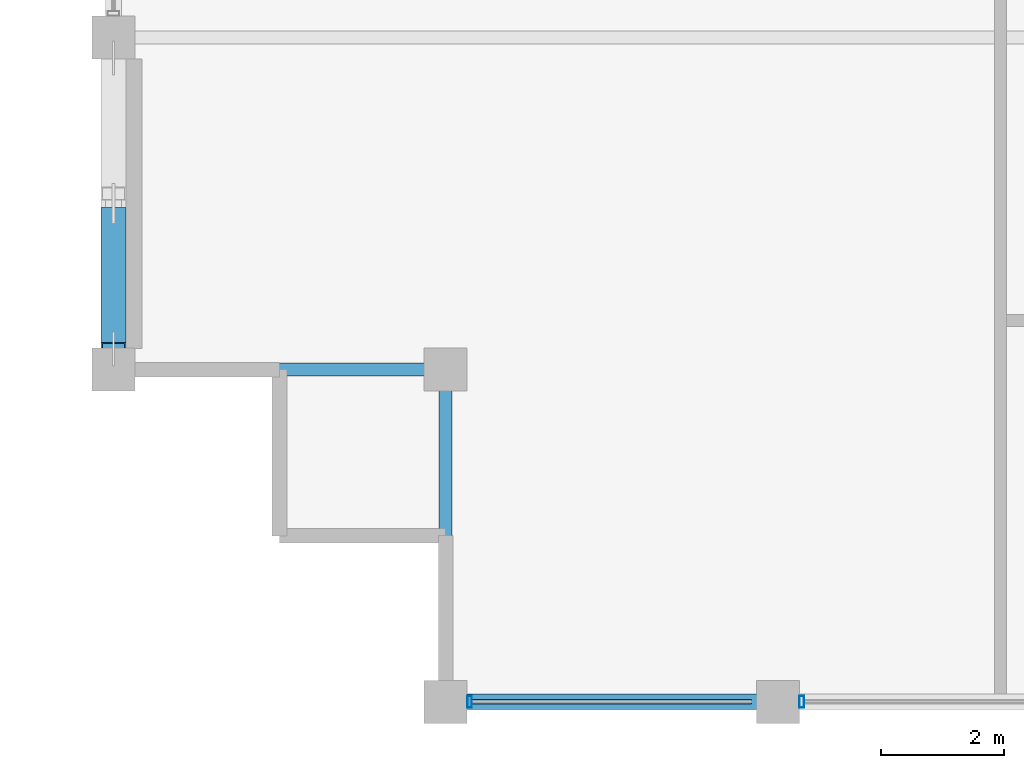
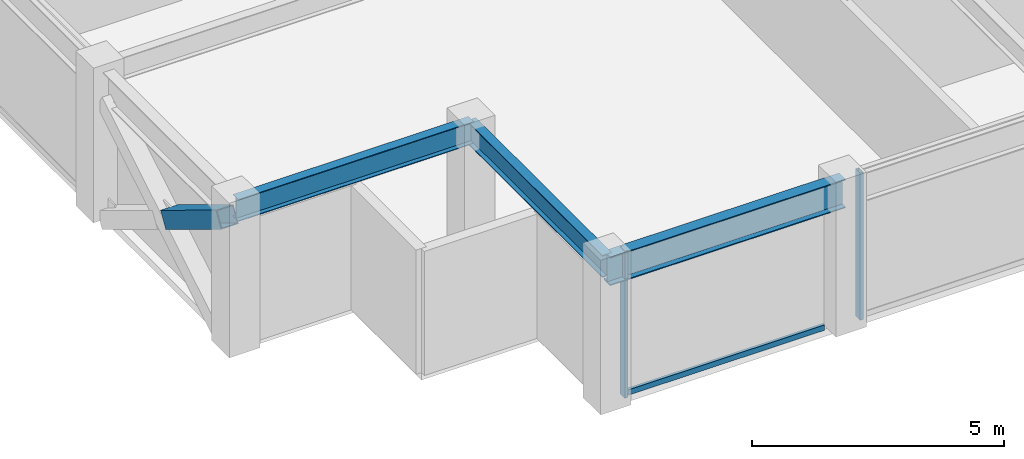
# One storey, part 2 of 29: 4 members, 3 beams, 1 element without a shape of its own.
"""IFC4 building model written with IfcOpenShell, lengths in metres."""

from ifc_helpers import new_model, si_unit, direction, frame, origin, origin_2d, place, context, subcontext, project, spatial, hollow_rectangle, i_section, extrude, material, layer, layer_set, material_profile, profile_set, type_object, element, aggregate, save


model = new_model("IFC4")

# Units and contexts
model_context = context("Model", 3, precision=1e-05, world=origin(), true_north=direction((0.0, 1.0)))
body_context = subcontext(model_context, "Body", "Model", "MODEL_VIEW")
ifc_project = project(units=[si_unit("LENGTHUNIT", "METRE"), si_unit("AREAUNIT", "SQUARE_METRE"), si_unit("VOLUMEUNIT", "CUBIC_METRE"), si_unit("PLANEANGLEUNIT", "RADIAN"), si_unit("MASSUNIT", "GRAM", prefix="KILO")], contexts=[model_context])

# Site, building, storey
site_placement = place(None, origin())
site = spatial("IfcSite", under=ifc_project, at=site_placement, CompositionType="ELEMENT")
building_placement = place(site_placement, origin())
building = spatial("IfcBuilding", under=site, at=building_placement, Name="Surkhivell Harbour Commons", CompositionType="ELEMENT")
storey_placement = place(building_placement, frame((0.0, 0.0, 277.5)))
storey = spatial("IfcBuildingStorey", under=building, at=storey_placement, Name="L72", CompositionType="ELEMENT", Elevation=277.5)

# Beams
ifc_material_1 = material(Name="Steel S355", Category="steel")
ifc_material_profile_1 = material_profile(ifc_material_1, i_section(OverallWidth=0.2099609375, OverallDepth=0.537109375, WebThickness=0.0107421875, FlangeThickness=0.017333984375, at=origin_2d()), Name="UB533x210x101")
ifc_profile_set_1 = profile_set([ifc_material_profile_1], Name="Steel S355")
beam_type_1 = type_object("IfcBeamType", Name="BM-GRD-533B", PredefinedType="BEAM", material=ifc_profile_set_1)
beam_1_placement = place(storey_placement, frame((-27.0, -16.199951171875, 3.301513671875), z_axis=(1.0, 0.0, 0.0), x_axis=(0.0, 1.0, 0.0)))
element("IfcBeam", 1, at=beam_1_placement, inside=storey, type_object=beam_type_1, Name="L72 Floor Girder (-27.0,-16.2)", PredefinedType="BEAM", context=body_context, shape_type="SweptSolid", body=[
    extrude(i_section(OverallWidth=0.2099609375, OverallDepth=0.537109375, WebThickness=0.0107421875, FlangeThickness=0.017333984375, at=origin_2d()), origin(), (0.0, 0.0, 1.0), 5.39990234375),
])
beam_2_placement = place(storey_placement, frame((-21.60009765625, -21.60009765625, 3.301513671875), z_axis=(0.0, 1.0, 0.0), x_axis=(-1.0, 0.0, 0.0)))
element("IfcBeam", 2, at=beam_2_placement, inside=storey, type_object=beam_type_1, Name="L72 Floor Girder (-21.6,-21.6)", PredefinedType="BEAM", context=body_context, shape_type="SweptSolid", body=[
    extrude(i_section(OverallWidth=0.2099609375, OverallDepth=0.537109375, WebThickness=0.0107421875, FlangeThickness=0.017333984375, at=origin_2d()), origin(), (0.0, 0.0, 1.0), 5.400146484375),
])
ifc_material_profile_2 = material_profile(ifc_material_1, i_section(OverallWidth=0.256103515625, OverallDepth=0.693115234375, WebThickness=0.014404296875, FlangeThickness=0.023681640625, at=origin_2d()), Name="UB686x254x170")
ifc_profile_set_2 = profile_set([ifc_material_profile_2], Name="Steel S355")
beam_type_2 = type_object("IfcBeamType", Name="BM-SPN-686", PredefinedType="SPANDREL", material=ifc_profile_set_2)
beam_3_placement = place(storey_placement, frame((-21.60009765625, -21.60009765625, 3.223388671875), z_axis=(1.0, 0.0, 0.0), x_axis=(0.0, 1.0, 0.0)))
element("IfcBeam", 3, at=beam_3_placement, inside=storey, type_object=beam_type_2, Name="L72 Tube Spandrel (-21.6,-21.6)", PredefinedType="SPANDREL", context=body_context, shape_type="SweptSolid", body=[
    extrude(i_section(OverallWidth=0.256103515625, OverallDepth=0.693115234375, WebThickness=0.014404296875, FlangeThickness=0.023681640625, at=origin_2d()), origin(), (0.0, 0.0, 1.0), 5.400146484375),
])

# Curtain wall, members
ifc_material_2 = material(Name="Anodised pale-metal aluminium and insulated glazing", Category="aluminium")
ifc_layer = layer(ifc_material_2, 0.175048828125)
ifc_layer_set = layer_set([ifc_layer], Name="Anodised pale-metal aluminium and insulated glazing")
curtain_wall_type = type_object("IfcCurtainWallType", Name="CW-SYS-Z4", PredefinedType="NOTDEFINED", material=ifc_layer_set)
curtain_wall_placement = place(storey_placement, origin())
curtain_wall = element("IfcCurtainWall", 4, at=curtain_wall_placement, inside=storey, type_object=curtain_wall_type, Name="L72 Curtain Wall CW-L72-E00S1", PredefinedType="NOTDEFINED")
ifc_material_3 = material(Name="Anodised pale-metal aluminium alloy 6063-T6", Category="aluminium")
ifc_material_profile_3 = material_profile(ifc_material_3, hollow_rectangle(XDim=0.074951171875, YDim=0.18994140625, WallThickness=0.00390625, at=origin_2d()), Name="ALU-MULL-75x190")
ifc_profile_set_3 = profile_set([ifc_material_profile_3], Name="Anodised pale-metal aluminium alloy 6063-T6")
member_type_1 = type_object("IfcMemberType", Name="CWM-190", PredefinedType="MULLION", material=ifc_profile_set_3)
member_1_placement = place(storey_placement, frame((-21.21044921875, -21.60009765625, 0.0), z_axis=(0.0, 0.0, 1.0), x_axis=(1.0, 0.0, 0.0)))
member_1 = element("IfcMember", 5, at=member_1_placement, type_object=member_type_1, Name="CW-Z4 mullion 1", PredefinedType="MULLION", context=body_context, shape_type="SweptSolid", body=[
    extrude(hollow_rectangle(XDim=0.074951171875, YDim=0.18994140625, WallThickness=0.00390625, at=origin_2d()), origin(), (0.0, 0.0, 1.0), 3.570068359375),
])
member_2_placement = place(storey_placement, frame((-15.810546875, -21.60009765625, 0.0), z_axis=(0.0, 0.0, 1.0), x_axis=(1.0, 0.0, 0.0)))
member_2 = element("IfcMember", 6, at=member_2_placement, type_object=member_type_1, Name="CW-Z4 mullion 2", PredefinedType="MULLION", context=body_context, shape_type="SweptSolid", body=[
    extrude(hollow_rectangle(XDim=0.074951171875, YDim=0.18994140625, WallThickness=0.00390625, at=origin_2d()), origin(), (0.0, 0.0, 1.0), 3.570068359375),
])
ifc_material_4 = material(Name="Champagne anodised aluminium alloy 6063-T6", Category="aluminium")
ifc_material_profile_4 = material_profile(ifc_material_4, hollow_rectangle(XDim=0.070068359375, YDim=0.1298828125, WallThickness=0.00341796875, at=origin_2d()), Name="ALU-TRAN-70x130")
ifc_profile_set_4 = profile_set([ifc_material_profile_4], Name="Champagne anodised aluminium alloy 6063-T6")
member_type_2 = type_object("IfcMemberType", Name="CWT-130", PredefinedType="USERDEFINED", material=ifc_profile_set_4)
member_3_placement = place(storey_placement, frame((-21.173095703125, -21.60009765625, 0.06494140625), z_axis=(1.0, 0.0, 0.0), x_axis=(0.0, 1.0, 0.0)))
member_3 = element("IfcMember", 7, at=member_3_placement, type_object=member_type_2, Name="CW-Z4 transom 1.1", ObjectType="TRANSOM", PredefinedType="USERDEFINED", context=body_context, shape_type="SweptSolid", body=[
    extrude(hollow_rectangle(XDim=0.070068359375, YDim=0.1298828125, WallThickness=0.00341796875, at=origin_2d()), origin(), (0.0, 0.0, 1.0), 4.546142578125),
])
aggregate(curtain_wall, [member_1, member_3, member_2])

# Member
ifc_material_5 = material(Name="Steel S460", Category="steel")
ifc_material_profile_5 = material_profile(ifc_material_5, hollow_rectangle(XDim=0.39990234375, YDim=0.39990234375, WallThickness=0.02001953125, at=origin_2d()), Name="SHS400x400x20")
ifc_profile_set_5 = profile_set([ifc_material_profile_5], Name="Steel S460")
member_type_3 = type_object("IfcMemberType", Name="MEM-BRC-SHS400", PredefinedType="BRACE", material=ifc_profile_set_5)
member_4_placement = place(storey_placement, frame((-27.0, -13.6640625, 1.544189453125), z_axis=(0.0, -0.854677846108, 0.519158722716), x_axis=(1.0, 0.0, 0.0)))
element("IfcMember", 8, at=member_4_placement, inside=storey, type_object=member_type_3, Name="L72 Perimeter Mega-Brace MB- 12", PredefinedType="BRACE", context=body_context, shape_type="SweptSolid", body=[
    extrude(hollow_rectangle(XDim=0.39990234375, YDim=0.39990234375, WallThickness=0.02001953125, at=origin_2d()), origin(), (0.0, 0.0, 1.0), 2.5751953125),
])

save(model, "model.ifc")
